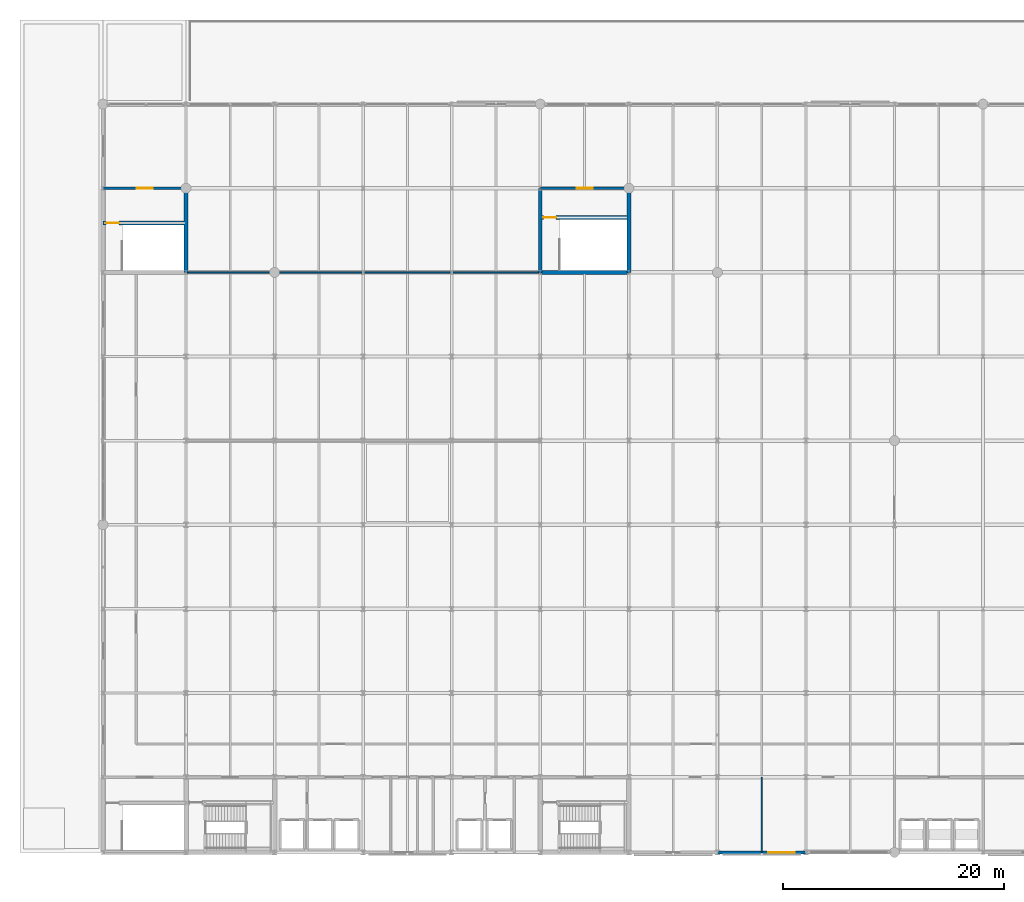
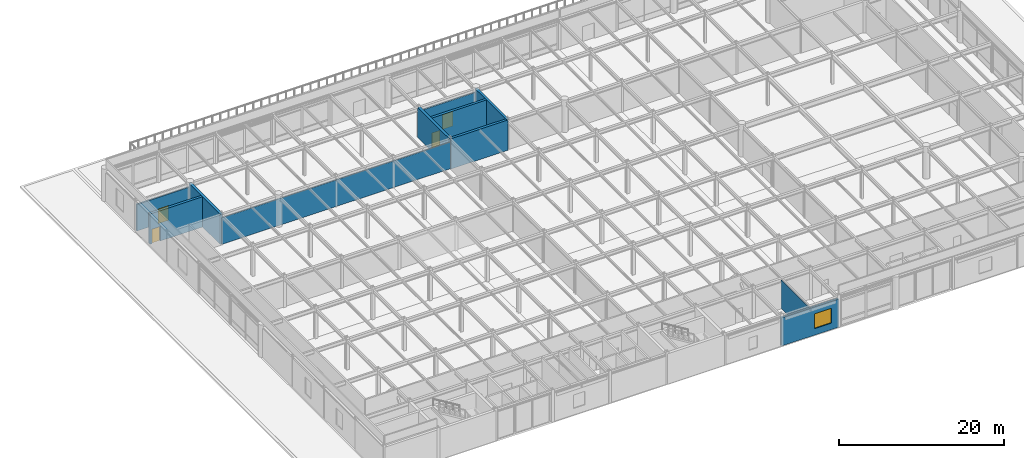
# One storey, part 36 of 43: 11 walls, 4 doors, 1 window, 5 openings.
"""IFC4 building model written with IfcOpenShell, lengths in metres."""

from ifc_helpers import new_model, si_unit, direction, frame, frame_2d, origin, place, context, subcontext, project, spatial, rectangle, extrude, material, layer, layer_set, type_object, element, fill, save


model = new_model("IFC4")

# Units and contexts
model_context = context("Model", 3, precision=1e-05, world=origin(), true_north=direction((0.0, 1.0)))
body_context = subcontext(model_context, "Body", "Model", "MODEL_VIEW")
ifc_project = project(units=[si_unit("LENGTHUNIT", "METRE"), si_unit("AREAUNIT", "SQUARE_METRE"), si_unit("VOLUMEUNIT", "CUBIC_METRE"), si_unit("PLANEANGLEUNIT", "RADIAN"), si_unit("MASSUNIT", "GRAM", prefix="KILO")], contexts=[model_context])

# Site, building, storey
site_placement = place(None, origin())
site = spatial("IfcSite", under=ifc_project, at=site_placement, CompositionType="ELEMENT")
building_placement = place(site_placement, origin())
building = spatial("IfcBuilding", under=site, at=building_placement, Name="Shalkamar Park Central Library", CompositionType="ELEMENT")
storey_placement = place(building_placement, frame((0.0, 0.0, 15.60009765625)))
storey = spatial("IfcBuildingStorey", under=building, at=storey_placement, Name="L04", CompositionType="ELEMENT", Elevation=15.60009765625)

# Wall
ifc_material_1 = material(Name="Acoustic insulated reading partition", Category="masonry")
ifc_layer_1 = layer(ifc_material_1, 0.139892578125)
ifc_layer_set_1 = layer_set([ifc_layer_1], Name="AcousticPartition_140")
wall_type_1 = type_object("IfcWallType", Name="Acoustic Partition 140", PredefinedType="PARTITIONING", material=ifc_layer_set_1)
wall_1_placement = place(storey_placement, frame((165.0, 300.800048828125, 0.0), z_axis=(0.0, 0.0, 1.0), x_axis=(1.0, 0.0, 0.0)))
element("IfcWall", 1, at=wall_1_placement, inside=storey, type_object=wall_type_1, Name="Interior Partition WL-INT-L04-025-S1", PredefinedType="PARTITIONING", context=body_context, shape_type="SweptSolid", body=[
    extrude(rectangle(XDim=32.0, YDim=0.139892578125, at=frame_2d((16.0, 0.0))), origin(), (0.0, 0.0, 1.0), 3.927978515625),
])

# Wall, opening, door
ifc_material_2 = material(Name="Fire-rated corridor partition wall", Category="masonry")
ifc_layer_2 = layer(ifc_material_2, 0.199951171875)
ifc_layer_set_2 = layer_set([ifc_layer_2], Name="CorridorFireWall_200")
wall_type_2 = type_object("IfcWallType", Name="Corridor Fire Wall 200", PredefinedType="PARTITIONING", material=ifc_layer_set_2)
wall_2_placement = place(storey_placement, frame((157.5, 308.39990234375, 0.0), z_axis=(0.0, 0.0, 1.0), x_axis=(1.0, 0.0, 0.0)))
wall_2 = element("IfcWall", 2, at=wall_2_placement, inside=storey, type_object=wall_type_2, Name="CORE-P2 Vestibule North Wall (L04)", PredefinedType="PARTITIONING", context=body_context, shape_type="SweptSolid", body=[
    extrude(rectangle(XDim=7.5, YDim=0.199951171875, at=frame_2d((3.75, 0.0))), origin(), (0.0, 0.0, 1.0), 3.927978515625),
])
opening_1_placement = place(wall_2_placement, frame((3.02490234375, 0.0, 0.0)))
opening_1 = element("IfcOpeningElement", 3, at=opening_1_placement, cuts=wall_2, Name="Opening DR-ST-P2-L04-VEST", PredefinedType="OPENING", context=body_context, shape_type="SweptSolid", body=[
    extrude(rectangle(XDim=1.449951171875, YDim=2.199951171875, at=frame_2d((0.72509765625, 1.10009765625))), frame((0.0, 0.11474609375, 0.0), z_axis=(0.0, -1.0, 0.0), x_axis=(1.0, 0.0, 0.0)), (0.0, 0.0, 1.0), 0.229736328125),
])
ifc_material_3 = material(Name="Steel S355", Category="steel")
door_type_1 = type_object("IfcDoorType", Name="Stair Vestibule Door 1450x2200", OperationType="DOUBLE_DOOR_SINGLE_SWING", PredefinedType="DOOR", material=ifc_material_3)
door_1_placement = place(opening_1_placement, frame((1.449951171875, 0.0, 0.0), z_axis=(0.0, 0.0, 1.0), x_axis=(-1.0, 0.0, 0.0)))
door_1 = element("IfcDoor", 4, at=door_1_placement, inside=storey, type_object=door_type_1, Name="Protected Stair ST-P2 Vestibule Door (L04)", OperationType="DOUBLE_DOOR_SINGLE_SWING", OverallHeight=2.199951171875, OverallWidth=1.449951171875, PredefinedType="DOOR", context=body_context, shape_type="SweptSolid", body=[
    extrude(rectangle(XDim=1.449951171875, YDim=2.199951171875, at=frame_2d((0.72509765625, 1.10009765625))), frame((0.0, 0.02490234375, 0.0), z_axis=(0.0, -1.0, 0.0), x_axis=(1.0, 0.0, 0.0)), (0.0, 0.0, 1.0), 0.050048828125),
])
fill(opening_1, door_1)

wall_3_placement = place(storey_placement, frame((197.0, 308.39990234375, 0.0), z_axis=(0.0, 0.0, 1.0), x_axis=(1.0, 0.0, 0.0)))
wall_3 = element("IfcWall", 5, at=wall_3_placement, inside=storey, type_object=wall_type_2, Name="CORE-P7 Vestibule North Wall (L04)", PredefinedType="PARTITIONING", context=body_context, shape_type="SweptSolid", body=[
    extrude(rectangle(XDim=8.0, YDim=0.199951171875, at=frame_2d((4.0, 0.0))), origin(), (0.0, 0.0, 1.0), 3.927978515625),
])
opening_2_placement = place(wall_3_placement, frame((3.27490234375, 0.0, 0.0)))
opening_2 = element("IfcOpeningElement", 6, at=opening_2_placement, cuts=wall_3, Name="Opening DR-ST-P7-L04-VEST", PredefinedType="OPENING", context=body_context, shape_type="SweptSolid", body=[
    extrude(rectangle(XDim=1.449951171875, YDim=2.199951171875, at=frame_2d((0.72509765625, 1.10009765625))), frame((0.0, 0.11474609375, 0.0), z_axis=(0.0, -1.0, 0.0), x_axis=(1.0, 0.0, 0.0)), (0.0, 0.0, 1.0), 0.229736328125),
])
door_2_placement = place(opening_2_placement, frame((1.449951171875, 0.0, 0.0), z_axis=(0.0, 0.0, 1.0), x_axis=(-1.0, 0.0, 0.0)))
door_2 = element("IfcDoor", 7, at=door_2_placement, inside=storey, type_object=door_type_1, Name="Protected Stair ST-P7 Vestibule Door (L04)", OperationType="DOUBLE_DOOR_SINGLE_SWING", OverallHeight=2.199951171875, OverallWidth=1.449951171875, PredefinedType="DOOR", context=body_context, shape_type="SweptSolid", body=[
    extrude(rectangle(XDim=1.449951171875, YDim=2.199951171875, at=frame_2d((0.72509765625, 1.10009765625))), frame((0.0, 0.02490234375, 0.0), z_axis=(0.0, -1.0, 0.0), x_axis=(1.0, 0.0, 0.0)), (0.0, 0.0, 1.0), 0.050048828125),
])
fill(opening_2, door_2)

# Wall
ifc_material_4 = material(Name="Concrete C40/50", Category="concrete")
ifc_layer_3 = layer(ifc_material_4, 0.35009765625)
ifc_layer_set_3 = layer_set([ifc_layer_3], Name="Concrete C40/50")
wall_type_3 = type_object("IfcWallType", Name="Podium Core Shear Wall 350", PredefinedType="SHEAR", material=ifc_layer_set_3)
wall_4_placement = place(storey_placement, frame((165.0, 300.800048828125, 0.0), z_axis=(0.0, 0.0, 1.0), x_axis=(0.0, 1.0, 0.0)))
element("IfcWall", 8, at=wall_4_placement, inside=storey, type_object=wall_type_3, Name="CORE-P2 East Shear Wall (L04)", PredefinedType="SHEAR", context=body_context, shape_type="SweptSolid", body=[
    extrude(rectangle(XDim=7.599853515625, YDim=0.35009765625, at=frame_2d((3.7998046875, 0.0))), origin(), (0.0, 0.0, 1.0), 4.47998046875),
])

# Wall, opening, door
wall_5_placement = place(storey_placement, frame((157.5, 305.25, 0.0), z_axis=(0.0, 0.0, 1.0), x_axis=(1.0, 0.0, 0.0)))
wall_5 = element("IfcWall", 9, at=wall_5_placement, inside=storey, type_object=wall_type_3, Name="CORE-P2 Stairwell Wall (L04)", PredefinedType="SHEAR", context=body_context, shape_type="SweptSolid", body=[
    extrude(rectangle(XDim=7.5, YDim=0.35009765625, at=frame_2d((3.75, 0.0))), origin(), (0.0, 0.0, 1.0), 4.47998046875),
])
opening_3_placement = place(wall_5_placement, frame((0.27490234375, 0.0, 0.0)))
opening_3 = element("IfcOpeningElement", 10, at=opening_3_placement, cuts=wall_5, Name="Opening DR-ST-P2-L04-IN", PredefinedType="OPENING", context=body_context, shape_type="SweptSolid", body=[
    extrude(rectangle(XDim=1.14990234375, YDim=2.14990234375, at=frame_2d((0.574951171875, 1.074951171875))), frame((0.0, 0.18994140625, 0.0), z_axis=(0.0, -1.0, 0.0), x_axis=(1.0, 0.0, 0.0)), (0.0, 0.0, 1.0), 0.3798828125),
])
door_type_2 = type_object("IfcDoorType", Name="Stair Core Exit Door 1150x2150", OperationType="NOTDEFINED", PredefinedType="DOOR", material=ifc_material_3)
door_3_placement = place(opening_3_placement, frame((1.14990234375, 0.0, 0.0), z_axis=(0.0, 0.0, 1.0), x_axis=(-1.0, 0.0, 0.0)))
door_3 = element("IfcDoor", 11, at=door_3_placement, inside=storey, type_object=door_type_2, Name="Protected Stair ST-P2 Exit Door (L04)", OperationType="SINGLE_SWING_RIGHT", OverallHeight=2.14990234375, OverallWidth=1.14990234375, PredefinedType="DOOR", context=body_context, shape_type="SweptSolid", body=[
    extrude(rectangle(XDim=1.14990234375, YDim=2.14990234375, at=frame_2d((0.574951171875, 1.074951171875))), frame((0.0, 0.02490234375, 0.0), z_axis=(0.0, -1.0, 0.0), x_axis=(1.0, 0.0, 0.0)), (0.0, 0.0, 1.0), 0.050048828125),
])
fill(opening_3, door_3)

# Walls
wall_6_placement = place(storey_placement, frame((197.0, 300.800048828125, 0.0), z_axis=(0.0, 0.0, 1.0), x_axis=(1.0, 0.0, 0.0)))
element("IfcWall", 12, at=wall_6_placement, inside=storey, type_object=wall_type_3, Name="CORE-P7 South Shear Wall (L04)", PredefinedType="SHEAR", context=body_context, shape_type="SweptSolid", body=[
    extrude(rectangle(XDim=8.0, YDim=0.35009765625, at=frame_2d((4.0, 0.0))), origin(), (0.0, 0.0, 1.0), 4.47998046875),
])
for number, where, z_axis, x_axis, name in (
    (13, (197.0, 300.800048828125, 0.0), (0.0, 0.0, 1.0), (0.0, 1.0, 0.0), "CORE-P7 West Shear Wall (L04)"),
    (14, (205.0, 300.800048828125, 0.0), (0.0, 0.0, 1.0), (0.0, 1.0, 0.0), "CORE-P7 East Shear Wall (L04)"),
):
    element("IfcWall", number, at=place(storey_placement, frame(where, z_axis=z_axis, x_axis=x_axis)), inside=storey, type_object=wall_type_3, Name=name, PredefinedType="SHEAR", context=body_context, shape_type="SweptSolid", body=[
        extrude(rectangle(XDim=7.599853515625, YDim=0.35009765625, at=frame_2d((3.7998046875, 0.0))), origin(), (0.0, 0.0, 1.0), 4.47998046875),
    ])

# Wall, opening, door
wall_7_placement = place(storey_placement, frame((197.0, 305.75, 0.0), z_axis=(0.0, 0.0, 1.0), x_axis=(1.0, 0.0, 0.0)))
wall_7 = element("IfcWall", 15, at=wall_7_placement, inside=storey, type_object=wall_type_3, Name="CORE-P7 Stairwell Wall (L04)", PredefinedType="SHEAR", context=body_context, shape_type="SweptSolid", body=[
    extrude(rectangle(XDim=8.0, YDim=0.35009765625, at=frame_2d((4.0, 0.0))), origin(), (0.0, 0.0, 1.0), 4.47998046875),
])
opening_4_placement = place(wall_7_placement, frame((0.27490234375, 0.0, 0.0)))
opening_4 = element("IfcOpeningElement", 16, at=opening_4_placement, cuts=wall_7, Name="Opening DR-ST-P7-L04-IN", PredefinedType="OPENING", context=body_context, shape_type="SweptSolid", body=[
    extrude(rectangle(XDim=1.14990234375, YDim=2.14990234375, at=frame_2d((0.574951171875, 1.074951171875))), frame((0.0, 0.18994140625, 0.0), z_axis=(0.0, -1.0, 0.0), x_axis=(1.0, 0.0, 0.0)), (0.0, 0.0, 1.0), 0.3798828125),
])
door_4_placement = place(opening_4_placement, frame((1.14990234375, 0.0, 0.0), z_axis=(0.0, 0.0, 1.0), x_axis=(-1.0, 0.0, 0.0)))
door_4 = element("IfcDoor", 17, at=door_4_placement, inside=storey, type_object=door_type_2, Name="Protected Stair ST-P7 Exit Door (L04)", OperationType="SINGLE_SWING_RIGHT", OverallHeight=2.14990234375, OverallWidth=1.14990234375, PredefinedType="DOOR", context=body_context, shape_type="SweptSolid", body=[
    extrude(rectangle(XDim=1.14990234375, YDim=2.14990234375, at=frame_2d((0.574951171875, 1.074951171875))), frame((0.0, 0.02490234375, 0.0), z_axis=(0.0, -1.0, 0.0), x_axis=(1.0, 0.0, 0.0)), (0.0, 0.0, 1.0), 0.050048828125),
])
fill(opening_4, door_4)

# Wall
ifc_material_5 = material(Name="Lightweight acoustic stud partition", Category="masonry")
ifc_layer_4 = layer(ifc_material_5, 0.1201171875)
ifc_layer_set_4 = layer_set([ifc_layer_4], Name="StandardPartition_120")
wall_type_4 = type_object("IfcWallType", Name="Standard Partition 120", PredefinedType="PARTITIONING", material=ifc_layer_set_4)
wall_8_placement = place(storey_placement, frame((217.0, 248.39990234375, 0.0), z_axis=(0.0, 0.0, 1.0), x_axis=(0.0, 1.0, 0.0)))
element("IfcWall", 18, at=wall_8_placement, inside=storey, type_object=wall_type_4, Name="Interior Partition WL-INT-L04-014", PredefinedType="PARTITIONING", context=body_context, shape_type="SweptSolid", body=[
    extrude(rectangle(XDim=6.800048828125, YDim=0.1201171875, at=frame_2d((3.39990234375, 0.0))), origin(), (0.0, 0.0, 1.0), 4.177978515625),
])

# Wall, opening, window
ifc_material_6 = material(Name="Travertine insulated rainscreen", Category="masonry")
ifc_layer_5 = layer(ifc_material_6, 0.2900390625)
ifc_layer_set_5 = layer_set([ifc_layer_5], Name="TravertineTerracottaWall_290")
wall_type_5 = type_object("IfcWallType", Name="Travertine Terracotta Wall 290", PredefinedType="SOLIDWALL", material=ifc_layer_set_5)
wall_9_placement = place(storey_placement, frame((213.006103515625, 248.39990234375, 0.0), z_axis=(0.0, 0.0, 1.0), x_axis=(1.0, 0.0, 0.0)))
wall_9 = element("IfcWall", 19, at=wall_9_placement, inside=storey, type_object=wall_type_5, Name="Exterior Facade Wall WL-EXT-L04-111", PredefinedType="SOLIDWALL", context=body_context, shape_type="SweptSolid", body=[
    extrude(rectangle(XDim=7.98779296875, YDim=0.2900390625, at=frame_2d((3.993896484375, 0.0))), origin(), (0.0, 0.0, 1.0), 4.16796875),
])
opening_5_placement = place(wall_9_placement, frame((4.56591796875, 0.0, 0.949951171875)))
opening_5 = element("IfcOpeningElement", 20, at=opening_5_placement, cuts=wall_9, Name="Opening WN-09", PredefinedType="OPENING", context=body_context, shape_type="SweptSolid", body=[
    extrude(rectangle(XDim=2.39990234375, YDim=2.199951171875, at=frame_2d((1.199951171875, 1.10009765625))), frame((0.0, 0.159912109375, 0.0), z_axis=(0.0, -1.0, 0.0), x_axis=(1.0, 0.0, 0.0)), (0.0, 0.0, 1.0), 0.31982421875),
])
ifc_material_7 = material(Name="Thermally broken aluminium and triple low-e glass", Category="glass")
window_type = type_object("IfcWindowType", Name="Tower Window 2400x2200", PartitioningType="DOUBLE_PANEL_VERTICAL", PredefinedType="WINDOW", material=ifc_material_7)
window_placement = place(opening_5_placement, origin())
window = element("IfcWindow", 21, at=window_placement, inside=storey, type_object=window_type, Name="Facade Window WN-L04-072", OverallHeight=2.199951171875, OverallWidth=2.39990234375, PartitioningType="DOUBLE_PANEL_VERTICAL", PredefinedType="WINDOW", context=body_context, shape_type="SweptSolid", body=[
    extrude(rectangle(XDim=2.39990234375, YDim=2.199951171875, at=frame_2d((1.199951171875, 1.10009765625))), frame((0.0, 0.030029296875, 0.0), z_axis=(0.0, -1.0, 0.0), x_axis=(1.0, 0.0, 0.0)), (0.0, 0.0, 1.0), 0.06005859375),
])
fill(opening_5, window)

save(model, "model.ifc")
